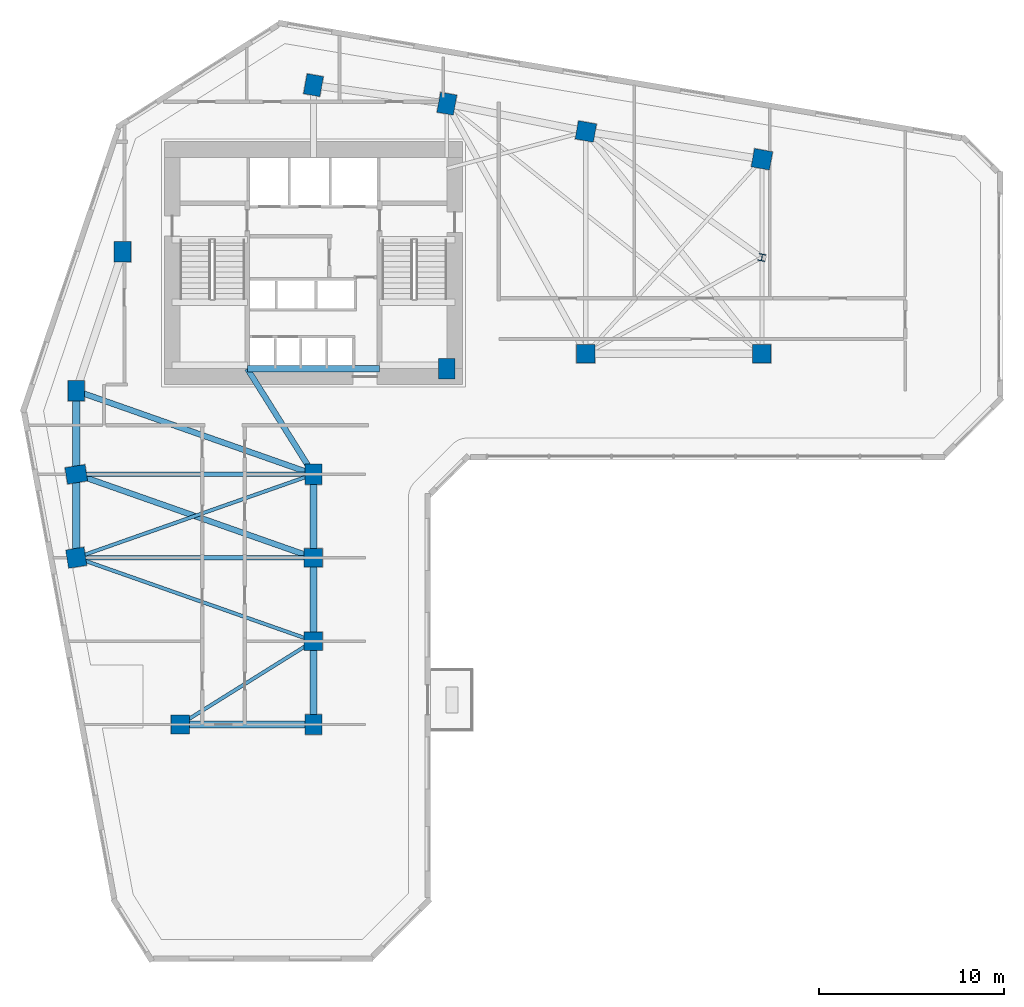
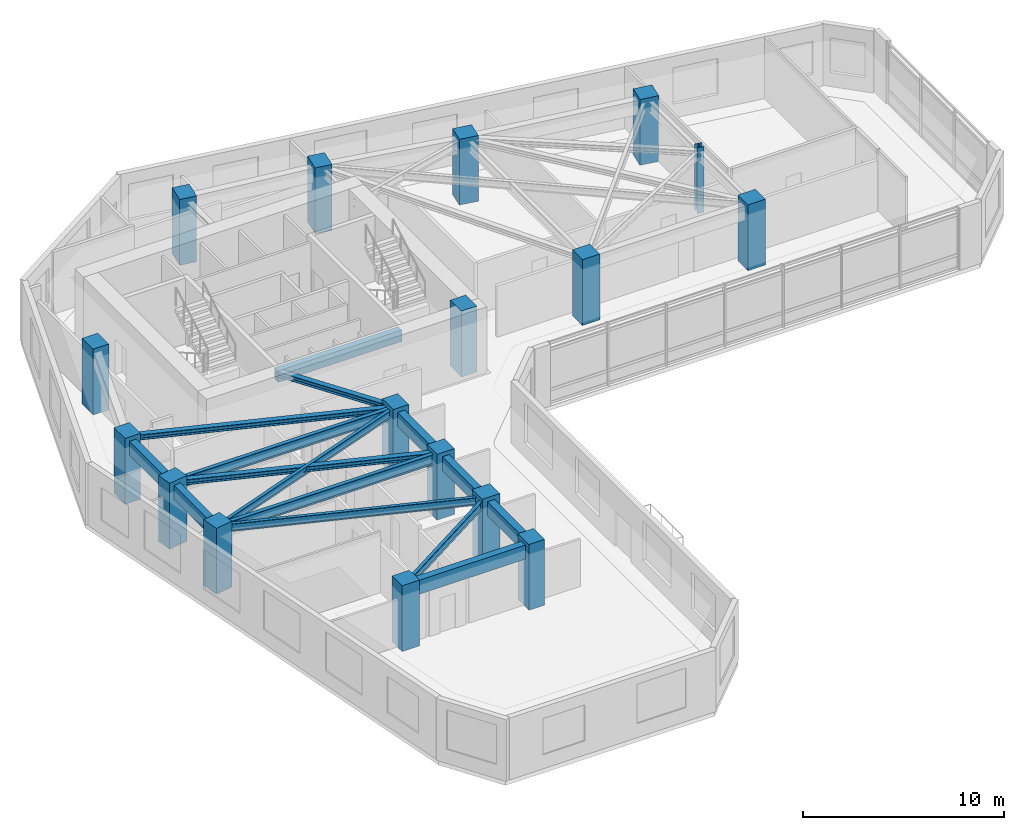
# One storey, part 1 of 11: 17 columns, 15 beams.
"""IFC4 building model written with IfcOpenShell, lengths in metres."""

import ifcopenshell
import ifcopenshell.guid

model = None  # the IFC model being written
_history = None  # IfcOwnerHistory: only IFC2X3 demands one
_inside = {}  # id of a spatial element -> (the spatial element, [elements in it])
_under = {}  # id of a project, library or spatial element -> (it, [spatial elements below it])
_declared = {}  # id of a project -> (the project, [libraries it declares])
_typed = {}  # id of a type object -> (the type object, [elements of that type])
_made_of = {}  # id of a material, layer set ... -> (it, [elements and type objects made of it])


def new_model(schema):
    """Start an empty IFC model of exactly this schema.

    Asked for "IFC4X3", IfcOpenShell would pick the latest addendum, in which some entities
    have other attributes; the version numbers below select the first issue.
    IFC2X3 requires an IfcOwnerHistory on every rooted entity: one is made here for all.
    """
    global model, _history
    if schema == "IFC4X3":
        model = ifcopenshell.file(schema_version=(4, 3, 0, 0))
    else:
        model = ifcopenshell.file(schema=schema)
    _inside.clear()
    _under.clear()
    _declared.clear()
    _typed.clear()
    _made_of.clear()
    _history = None
    if model.schema == "IFC2X3":
        org = make("IfcOrganization", Name="unknown")
        user = make(
            "IfcPersonAndOrganization",
            ThePerson=make("IfcPerson", FamilyName="unknown"),
            TheOrganization=org,
        )
        app = make(
            "IfcApplication",
            ApplicationDeveloper=org,
            Version="unknown",
            ApplicationFullName="unknown",
            ApplicationIdentifier="unknown",
        )
        _history = make(
            "IfcOwnerHistory",
            OwningUser=user,
            OwningApplication=app,
            ChangeAction="ADDED",
            CreationDate=0,
        )
    return model


def make(cls, **values):
    """One entity of the class cls with the attributes given. An attribute that is None is left unset."""
    return model.create_entity(
        cls, **{name: value for name, value in values.items() if value is not None}
    )


def rooted(cls, **values):
    """An entity with a GlobalId (a new one), such as an element, a storey or a relation."""
    return make(cls, GlobalId=ifcopenshell.guid.new(), OwnerHistory=_history, **values)


def si_unit(unit_type, name, prefix=None):
    """IfcSIUnit, for example si_unit("LENGTHUNIT", "METRE", prefix="MILLI")."""
    return make("IfcSIUnit", UnitType=unit_type, Prefix=prefix, Name=name)


def assignment(units):
    """IfcUnitAssignment: the units of a project."""
    return None if units is None else make("IfcUnitAssignment", Units=units)


def point(xyz):
    """IfcCartesianPoint."""
    return None if xyz is None else make("IfcCartesianPoint", Coordinates=xyz)


def direction(xyz):
    """IfcDirection."""
    return None if xyz is None else make("IfcDirection", DirectionRatios=xyz)


def frame(location, z_axis=None, x_axis=None):
    """IfcAxis2Placement3D, a coordinate frame: its origin and axes. An axis left out is left unset."""
    return make(
        "IfcAxis2Placement3D",
        Location=point(location),
        Axis=direction(z_axis),
        RefDirection=direction(x_axis),
    )


def frame_2d(location, x_axis=None):
    """IfcAxis2Placement2D, a coordinate frame in the plane: its origin and x axis."""
    return make(
        "IfcAxis2Placement2D", Location=point(location), RefDirection=direction(x_axis)
    )


def origin():
    """The frame at (0, 0, 0) with its axes left unset."""
    return frame((0.0, 0.0, 0.0))


def origin_2d():
    """The frame at (0, 0) in the plane with its x axis left unset."""
    return frame_2d((0.0, 0.0))


def place(relative_to, where):
    """IfcLocalPlacement: puts the frame where relative to a parent placement (None: the world)."""
    return make(
        "IfcLocalPlacement", PlacementRelTo=relative_to, RelativePlacement=where
    )


def context(
    kind, dimensions, precision=None, world=None, true_north=None, identifier=None
):
    """IfcGeometricRepresentationContext, for example the 3D "Model" context."""
    return make(
        "IfcGeometricRepresentationContext",
        ContextIdentifier=identifier,
        ContextType=kind,
        CoordinateSpaceDimension=dimensions,
        Precision=precision,
        WorldCoordinateSystem=world,
        TrueNorth=true_north,
    )


def subcontext(parent, identifier, kind, view, scale=None):
    """IfcGeometricRepresentationSubContext, for example "Body" below "Model"."""
    return make(
        "IfcGeometricRepresentationSubContext",
        ContextIdentifier=identifier,
        ContextType=kind,
        ParentContext=parent,
        TargetScale=scale,
        TargetView=view,
    )


def project(units=None, contexts=None):
    """IfcProject with its units and contexts."""
    return rooted(
        "IfcProject",
        Name="project",
        RepresentationContexts=contexts,
        UnitsInContext=assignment(units),
    )


def spatial(cls, under=None, at=None, **own):
    """A site, building, storey or space (cls), placed at a placement, below another one or the project."""
    s = rooted(cls, ObjectPlacement=at, **own)
    if under is not None:
        _under.setdefault(under.id(), (under, []))[1].append(s)
    return s


def profile(cls, at=None, kind="AREA", **sizes):
    """A parametric profile (cls). Its sizes go by their IFC names, for example OverallWidth=200.0."""
    return make(cls, ProfileType=kind, Position=at, **sizes)


def rectangle(**sizes):
    """IfcRectangleProfileDef."""
    return profile("IfcRectangleProfileDef", **sizes)


def i_section(**sizes):
    """IfcIShapeProfileDef."""
    return profile("IfcIShapeProfileDef", **sizes)


def extrude(swept, where, along, depth):
    """IfcExtrudedAreaSolid: the profile swept, set in the frame where, extruded along a direction by depth."""
    return make(
        "IfcExtrudedAreaSolid",
        SweptArea=swept,
        Position=where,
        ExtrudedDirection=direction(along),
        Depth=depth,
    )


def shape(context_of_items, identifier, shape_type, items):
    """IfcShapeRepresentation: the items that make up one representation, for example the "Body"."""
    return make(
        "IfcShapeRepresentation",
        ContextOfItems=context_of_items,
        RepresentationIdentifier=identifier,
        RepresentationType=shape_type,
        Items=items,
    )


def source(mapping_origin, context_of_items, identifier, shape_type, items):
    """IfcRepresentationMap: a shape defined once, which mapped items show again and again."""
    return make(
        "IfcRepresentationMap",
        MappingOrigin=mapping_origin,
        MappedRepresentation=shape(context_of_items, identifier, shape_type, items),
    )


def transform(
    local_origin,
    x_axis=None,
    y_axis=None,
    z_axis=None,
    scale=None,
    scale2=None,
    scale3=None,
    uniform=True,
):
    """IfcCartesianTransformationOperator3D, or its non-uniform kind. x_axis, y_axis, z_axis: its Axis1, 2, 3."""
    if uniform:
        return make(
            "IfcCartesianTransformationOperator3D",
            Axis1=direction(x_axis),
            Axis2=direction(y_axis),
            LocalOrigin=point(local_origin),
            Scale=scale,
            Axis3=direction(z_axis),
        )
    return make(
        "IfcCartesianTransformationOperator3DnonUniform",
        Axis1=direction(x_axis),
        Axis2=direction(y_axis),
        LocalOrigin=point(local_origin),
        Scale=scale,
        Axis3=direction(z_axis),
        Scale2=scale2,
        Scale3=scale3,
    )


def mapped(mapping_source, mapping_target):
    """IfcMappedItem: shows the shape of a source again, moved by a transform."""
    return make(
        "IfcMappedItem", MappingSource=mapping_source, MappingTarget=mapping_target
    )


def material(Name=None, Category=None):
    """IfcMaterial."""
    return make("IfcMaterial", Name=Name, Category=Category)


def material_profile(
    of_material, cross_section, Name=None, Category=None, Priority=None
):
    """IfcMaterialProfile: a cross section and its material."""
    return make(
        "IfcMaterialProfile",
        Name=Name,
        Material=of_material,
        Profile=cross_section,
        Priority=Priority,
        Category=Category,
    )


def profile_set(profiles, Name=None, composite=None):
    """IfcMaterialProfileSet."""
    return make(
        "IfcMaterialProfileSet",
        Name=Name,
        MaterialProfiles=profiles,
        CompositeProfile=composite,
    )


def made_of(thing, what):
    """Note that an element or type object is made of a material, layer set ...; save() writes the relation."""
    if what is not None:
        _made_of.setdefault(what.id(), (what, []))[1].append(thing)
    return thing


def type_object(cls, material=None, **own):
    """A type object (cls), such as IfcWallType, which elements share."""
    return made_of(rooted(cls, **own), material)


def element(
    cls,
    number,
    at=None,
    inside=None,
    cuts=None,
    type_object=None,
    material=None,
    context=None,
    identifier="Body",
    shape_type=None,
    held_by="IfcProductDefinitionShape",
    body=None,
    shapes=None,
    **own,
):
    """One element of the class cls, such as IfcWall. Its Tag is "e" and its number.

    at: its placement. inside: the storey or other place that contains it. cuts: it is an
    opening in that element (IfcRelVoidsElement). A single representation is given by context,
    identifier, shape_type and body (its items); several are given by shapes. held_by: the class
    of the entity that holds the representations. save() writes the other relations.
    """
    e = rooted(cls, Tag="e%d" % number, ObjectPlacement=at, **own)
    if body is not None:
        shapes = [shape(context, identifier, shape_type, body)]
    if shapes is not None:
        e.Representation = make(held_by, Representations=shapes)
    if inside is not None:
        _inside.setdefault(inside.id(), (inside, []))[1].append(e)
    if cuts is not None:
        rooted(
            "IfcRelVoidsElement", RelatingBuildingElement=cuts, RelatedOpeningElement=e
        )
    if type_object is not None:
        _typed.setdefault(type_object.id(), (type_object, []))[1].append(e)
    return made_of(e, material)


def aggregate(whole, parts):
    """IfcRelAggregates: a whole, such as a stair, and the parts it consists of."""
    return rooted("IfcRelAggregates", RelatingObject=whole, RelatedObjects=parts)


def save(model, path):
    """Write the relations noted so far, then the file.

    IfcRelAggregates (storeys below a building ...), IfcRelContainedInSpatialStructure (elements
    in a storey), IfcRelDefinesByType, IfcRelAssociatesMaterial and IfcRelDeclares: one each for
    every whole, place, type object, material and project.
    """
    for whole, parts in _under.values():
        aggregate(whole, parts)
    for where, things in _inside.values():
        rooted(
            "IfcRelContainedInSpatialStructure",
            RelatedElements=things,
            RelatingStructure=where,
        )
    for kind, things in _typed.values():
        rooted("IfcRelDefinesByType", RelatedObjects=things, RelatingType=kind)
    for what, things in _made_of.values():
        rooted("IfcRelAssociatesMaterial", RelatedObjects=things, RelatingMaterial=what)
    for by, libraries in _declared.values():
        rooted("IfcRelDeclares", RelatingContext=by, RelatedDefinitions=libraries)
    model.write(path)


model = new_model("IFC4")

# Units and contexts
model_context = context("Model", 3, precision=1e-05, world=origin(), true_north=direction((0.0, 1.0)))
body_context = subcontext(model_context, "Body", "Model", "MODEL_VIEW")
ifc_project = project(units=[si_unit("LENGTHUNIT", "METRE"), si_unit("AREAUNIT", "SQUARE_METRE"), si_unit("VOLUMEUNIT", "CUBIC_METRE"), si_unit("PLANEANGLEUNIT", "RADIAN"), si_unit("MASSUNIT", "GRAM", prefix="KILO")], contexts=[model_context])

# Site, building, storey
site_placement = place(None, origin())
site = spatial("IfcSite", under=ifc_project, at=site_placement, CompositionType="ELEMENT")
building_placement = place(site_placement, origin())
building = spatial("IfcBuilding", under=site, at=building_placement, Name="Calvemar Wedge Station Tower", CompositionType="ELEMENT")
storey_placement = place(building_placement, frame((0.0, 0.0, 55.0)))
storey = spatial("IfcBuildingStorey", under=building, at=storey_placement, Name="L13", CompositionType="ELEMENT", Elevation=55.0)

# Columns
ifc_material_1 = material(Name="Concrete C70", Category="concrete")
ifc_material_profile_1 = material_profile(ifc_material_1, rectangle(XDim=0.89990234375, YDim=1.10009765625, at=origin_2d()), Name="RC1100x900")
ifc_profile_set_1 = profile_set([ifc_material_profile_1], Name="Concrete C70")
column_type_1 = type_object("IfcColumnType", Name="COL-C3-1100x900", PredefinedType="COLUMN", material=ifc_profile_set_1)
shared_shape_1 = source(origin(), body_context, "Body", "SweptSolid", [
    extrude(rectangle(XDim=0.89990234375, YDim=1.10009765625, at=origin_2d()), origin(), (0.0, 0.0, 1.0), 4.0),
])
for number, where, z_axis, x_axis, name in (
    (1, (11.0, 33.0, 0.0), (0.0, 0.0, 1.0), (1.0, 0.0, 0.0), "Storey L13 Column T-NW1"),
    (2, (13.5, 40.5, 0.0), (0.0, 0.0, 1.0), (1.0, 0.0, 0.0), "Storey L13 Column T-NW2"),
    (3, (23.800048828125, 49.5, 0.0), (0.0, 0.0, 1.0), (0.984195607969, -0.17708474032, 0.0), "Storey L13 Column T-N1"),
    (4, (31.0, 48.5, 0.0), (0.0, 0.0, 1.0), (0.984195607969, -0.17708474032, 0.0), "Storey L13 Column T-N2"),
    (5, (31.0, 34.199951171875, 0.0), (0.0, 0.0, 1.0), (1.0, 0.0, 0.0), "Storey L13 Column T-NL1"),
    (6, (11.0, 28.5, 0.0), (0.0, 0.0, 1.0), (0.158158067254, -0.987413806751, 0.0), "Storey L13 Column T-SW1"),
    (7, (23.800048828125, 28.5, 0.0), (0.0, 0.0, 1.0), (1.0, 0.0, 0.0), "Storey L13 Column T-SE1"),
    (8, (23.800048828125, 15.0, 0.0), (0.0, 0.0, 1.0), (1.0, 0.0, 0.0), "Storey L13 Column T-SE4"),
):
    element("IfcColumn", number, at=place(storey_placement, frame(where, z_axis=z_axis, x_axis=x_axis)), inside=storey, type_object=column_type_1, Name=name, PredefinedType="COLUMN", context=body_context, shape_type="MappedRepresentation", body=[
        mapped(shared_shape_1, transform((0.0, 0.0, 0.0), scale=1.0)),
    ])
ifc_material_2 = material(Name="Concrete C60", Category="concrete")
ifc_material_profile_2 = material_profile(ifc_material_2, rectangle(XDim=1.0, YDim=1.0, at=origin_2d()), Name="RC1000x1000")
ifc_profile_set_2 = profile_set([ifc_material_profile_2], Name="Concrete C60")
column_type_2 = type_object("IfcColumnType", Name="COL-C4-1000", PredefinedType="COLUMN", material=ifc_profile_set_2)
shared_shape_2 = source(origin(), body_context, "Body", "SweptSolid", [
    extrude(rectangle(XDim=1.0, YDim=1.0, at=origin_2d()), origin(), (0.0, 0.0, 1.0), 4.0),
])
for number, where, z_axis, x_axis, name in (
    (9, (38.5, 47.0, 0.0), (0.0, 0.0, 1.0), (0.984195607969, -0.17708474032, 0.0), "Storey L13 Column T-NU3"),
    (10, (48.0, 45.5, 0.0), (0.0, 0.0, 1.0), (0.984195607969, -0.17708474032, 0.0), "Storey L13 Column T-NU4"),
    (11, (38.5, 35.0, 0.0), (0.0, 0.0, 1.0), (1.0, 0.0, 0.0), "Storey L13 Column T-NL2"),
    (12, (48.0, 35.0, 0.0), (0.0, 0.0, 1.0), (1.0, 0.0, 0.0), "Storey L13 Column T-NL3"),
    (13, (11.0, 24.0, 0.0), (0.0, 0.0, 1.0), (0.158158067254, -0.987413806751, 0.0), "Storey L13 Column T-SW2"),
    (14, (23.800048828125, 24.0, 0.0), (0.0, 0.0, 1.0), (1.0, 0.0, 0.0), "Storey L13 Column T-SE2"),
    (15, (23.800048828125, 19.5, 0.0), (0.0, 0.0, 1.0), (1.0, 0.0, 0.0), "Storey L13 Column T-SE3"),
    (16, (16.60009765625, 15.0, 0.0), (0.0, 0.0, 1.0), (1.0, 0.0, 0.0), "Storey L13 Column T-SM1"),
):
    element("IfcColumn", number, at=place(storey_placement, frame(where, z_axis=z_axis, x_axis=x_axis)), inside=storey, type_object=column_type_2, Name=name, PredefinedType="COLUMN", context=body_context, shape_type="MappedRepresentation", body=[
        mapped(shared_shape_2, transform((0.0, 0.0, 0.0), scale=1.0)),
    ])
ifc_material_3 = material(Name="Structural steel ASTM A572 Grade 50", Category="steel")
ifc_material_profile_3 = material_profile(ifc_material_3, i_section(OverallWidth=0.3740234375, OverallDepth=0.3720703125, WebThickness=0.016357421875, FlangeThickness=0.026123046875, FilletRadius=0.014892578125, at=origin_2d()), Name="W360x196")
ifc_profile_set_3 = profile_set([ifc_material_profile_3], Name="Structural steel ASTM A572 Grade 50")
column_type_3 = type_object("IfcColumnType", Name="COL-STL-W360", PredefinedType="COLUMN", material=ifc_profile_set_3)
shared_shape_3 = source(origin(), body_context, "Body", "SweptSolid", [
    extrude(i_section(OverallWidth=0.3740234375, OverallDepth=0.3720703125, WebThickness=0.016357421875, FlangeThickness=0.026123046875, FilletRadius=0.014892578125, at=origin_2d()), origin(), (0.0, 0.0, 1.0), 4.0),
])
column_placement = place(storey_placement, frame((48.0, 40.199951171875, 0.0), z_axis=(0.0, 0.0, 1.0), x_axis=(0.984195607969, -0.17708474032, 0.0)))
element("IfcColumn", 17, at=column_placement, inside=storey, type_object=column_type_3, Name="Storey L13 Column T-NTIP-A", PredefinedType="COLUMN", context=body_context, shape_type="MappedRepresentation", body=[
    mapped(shared_shape_3, transform((0.0, 0.0, 0.0), scale=1.0)),
])

# Beams
ifc_material_profile_4 = material_profile(ifc_material_2, rectangle(XDim=0.39990234375, YDim=0.85009765625, at=origin_2d()), Name="RC400x850")
ifc_profile_set_4 = profile_set([ifc_material_profile_4], Name="Concrete C60")
beam_type_1 = type_object("IfcBeamType", Name="BM-SP1-850", PredefinedType="SPANDREL", material=ifc_profile_set_4)
shared_shape_4 = source(origin(), body_context, "Body", "SweptSolid", [
    extrude(rectangle(XDim=0.39990234375, YDim=0.85009765625, at=origin_2d()), origin(), (0.0, 0.0, 1.0), 4.5),
])
for number, where, z_axis, x_axis, name in (
    (18, (11.0, 33.0, 3.324951171875), (0.0, -1.0, 0.0), (1.0, 0.0, 0.0), "Storey L13 Spandrel T-NW1-T-SW1"),
    (19, (11.0, 28.5, 3.324951171875), (0.0, -1.0, 0.0), (1.0, 0.0, 0.0), "Storey L13 Spandrel T-SW1-T-SW2"),
    (20, (23.800048828125, 28.5, 3.324951171875), (0.0, -1.0, 0.0), (1.0, 0.0, 0.0), "Storey L13 Spandrel T-SE1-T-SE2"),
    (21, (23.800048828125, 24.0, 3.324951171875), (0.0, -1.0, 0.0), (1.0, 0.0, 0.0), "Storey L13 Spandrel T-SE2-T-SE3"),
    (22, (23.800048828125, 19.5, 3.324951171875), (0.0, -1.0, 0.0), (1.0, 0.0, 0.0), "Storey L13 Spandrel T-SE3-T-SE4"),
):
    element("IfcBeam", number, at=place(storey_placement, frame(where, z_axis=z_axis, x_axis=x_axis)), inside=storey, type_object=beam_type_1, Name=name, PredefinedType="SPANDREL", context=body_context, shape_type="MappedRepresentation", body=[
        mapped(shared_shape_4, transform((0.0, 0.0, 0.0), scale=1.0)),
    ])
shared_shape_5 = source(origin(), body_context, "Body", "SweptSolid", [
    extrude(rectangle(XDim=0.39990234375, YDim=0.85009765625, at=origin_2d()), origin(), (0.0, 0.0, 1.0), 7.199951171875),
])
beam_1_placement = place(storey_placement, frame((16.60009765625, 15.0, 3.324951171875), z_axis=(1.0, 0.0, 0.0), x_axis=(0.0, 1.0, 0.0)))
element("IfcBeam", 23, at=beam_1_placement, inside=storey, type_object=beam_type_1, Name="Storey L13 Spandrel T-SM1-T-SE4", PredefinedType="SPANDREL", context=body_context, shape_type="MappedRepresentation", body=[
    mapped(shared_shape_5, transform((0.0, 0.0, 0.0), scale=1.0)),
])
ifc_material_profile_5 = material_profile(ifc_material_3, i_section(OverallWidth=0.22998046875, OverallDepth=0.616943359375, WebThickness=0.01318359375, FlangeThickness=0.022216796875, FilletRadius=0.012939453125, at=origin_2d()), Name="W610x140")
ifc_profile_set_5 = profile_set([ifc_material_profile_5], Name="Structural steel ASTM A572 Grade 50")
beam_type_2 = type_object("IfcBeamType", Name="BM-SB2-W610", PredefinedType="BEAM", material=ifc_profile_set_5)
shared_shape_6 = source(origin(), body_context, "Body", "SweptSolid", [
    extrude(i_section(OverallWidth=0.22998046875, OverallDepth=0.616943359375, WebThickness=0.01318359375, FlangeThickness=0.022216796875, FilletRadius=0.012939453125, at=origin_2d()), origin(), (0.0, 0.0, 1.0), 12.800048828125),
])
for number, where, z_axis, x_axis, name in (
    (24, (11.0, 28.5, 3.44140625), (1.0, 0.0, 0.0), (0.0, 1.0, 0.0), "Storey L13 Floor Beam T-SW1-T-SE1"),
    (25, (11.0, 24.0, 3.44140625), (1.0, 0.0, 0.0), (0.0, 1.0, 0.0), "Storey L13 Floor Beam T-SW2-T-SE2"),
):
    element("IfcBeam", number, at=place(storey_placement, frame(where, z_axis=z_axis, x_axis=x_axis)), inside=storey, type_object=beam_type_2, Name=name, PredefinedType="BEAM", context=body_context, shape_type="MappedRepresentation", body=[
        mapped(shared_shape_6, transform((0.0, 0.0, 0.0), scale=1.0)),
    ])
ifc_material_profile_6 = material_profile(ifc_material_1, rectangle(XDim=0.35009765625, YDim=0.699951171875, at=origin_2d()), Name="RC350x700")
ifc_profile_set_6 = profile_set([ifc_material_profile_6], Name="Concrete C70")
beam_type_3 = type_object("IfcBeamType", Name="BM-LN1-700", PredefinedType="LINTEL", material=ifc_profile_set_6)
shared_shape_7 = source(origin(), body_context, "Body", "SweptSolid", [
    extrude(rectangle(XDim=0.35009765625, YDim=0.699951171875, at=origin_2d()), origin(), (0.0, 0.0, 1.0), 7.10009765625),
])
beam_2_placement = place(storey_placement, frame((20.25, 34.199951171875, 3.39990234375), z_axis=(1.0, 0.0, 0.0), x_axis=(0.0, 1.0, 0.0)))
element("IfcBeam", 26, at=beam_2_placement, inside=storey, type_object=beam_type_3, Name="Storey L13 Core Coupling Lintel South", PredefinedType="LINTEL", context=body_context, shape_type="MappedRepresentation", body=[
    mapped(shared_shape_7, transform((0.0, 0.0, 0.0), scale=1.0)),
])
ifc_material_profile_7 = material_profile(ifc_material_3, i_section(OverallWidth=0.30908203125, OverallDepth=0.322998046875, WebThickness=0.013916015625, FlangeThickness=0.02294921875, FilletRadius=0.014892578125, at=origin_2d()), Name="W310x143")
ifc_profile_set_7 = profile_set([ifc_material_profile_7], Name="Structural steel ASTM A572 Grade 50")
beam_type_4 = type_object("IfcBeamType", Name="BM-J5-W310H", PredefinedType="JOIST", material=ifc_profile_set_7)
shared_shape_8 = source(origin(), body_context, "Body", "SweptSolid", [
    extrude(i_section(OverallWidth=0.30908203125, OverallDepth=0.322998046875, WebThickness=0.013916015625, FlangeThickness=0.02294921875, FilletRadius=0.014892578125, at=origin_2d()), origin(), (0.0, 0.0, 1.0), 13.568115234375),
])
for number, where, z_axis, x_axis, name in (
    (27, (11.0, 33.0, 3.58837890625), (0.943398221169, -0.331662171939, 0.0), (0.331662171939, 0.943398221169, 0.0), "Storey L13 Floor Beam T-NW1-T-SE1"),
    (28, (11.0, 28.5, 3.58837890625), (0.943398221169, -0.331662171939, 0.0), (0.331662171939, 0.943398221169, 0.0), "Storey L13 Floor Beam T-SW1-T-SE2"),
):
    element("IfcBeam", number, at=place(storey_placement, frame(where, z_axis=z_axis, x_axis=x_axis)), inside=storey, type_object=beam_type_4, Name=name, PredefinedType="JOIST", context=body_context, shape_type="MappedRepresentation", body=[
        mapped(shared_shape_8, transform((0.0, 0.0, 0.0), scale=1.0)),
    ])
ifc_material_profile_8 = material_profile(ifc_material_3, i_section(OverallWidth=0.19189453125, OverallDepth=0.462890625, WebThickness=0.010498046875, FlangeThickness=0.017578125, FilletRadius=0.012939453125, at=origin_2d()), Name="W460x89")
ifc_profile_set_8 = profile_set([ifc_material_profile_8], Name="Structural steel ASTM A572 Grade 50")
beam_type_5 = type_object("IfcBeamType", Name="BM-J1-W460", PredefinedType="JOIST", material=ifc_profile_set_8)
shared_shape_9 = source(origin(), body_context, "Body", "SweptSolid", [
    extrude(i_section(OverallWidth=0.19189453125, OverallDepth=0.462890625, WebThickness=0.010498046875, FlangeThickness=0.017578125, FilletRadius=0.012939453125, at=origin_2d()), origin(), (0.0, 0.0, 1.0), 13.568115234375),
])
for number, where, z_axis, x_axis, name in (
    (29, (23.800048828125, 28.5, 3.5185546875), (-0.943398221169, -0.331662171939, 0.0), (0.331662171939, -0.943398221169, 0.0), "Storey L13 Floor Beam T-SE1-T-SW2"),
    (30, (11.0, 24.0, 3.5185546875), (0.943398221169, -0.331662171939, 0.0), (0.331662171939, 0.943398221169, 0.0), "Storey L13 Floor Beam T-SW2-T-SE3"),
):
    element("IfcBeam", number, at=place(storey_placement, frame(where, z_axis=z_axis, x_axis=x_axis)), inside=storey, type_object=beam_type_5, Name=name, PredefinedType="JOIST", context=body_context, shape_type="MappedRepresentation", body=[
        mapped(shared_shape_9, transform((0.0, 0.0, 0.0), scale=1.0)),
    ])
shared_shape_10 = source(origin(), body_context, "Body", "SweptSolid", [
    extrude(i_section(OverallWidth=0.19189453125, OverallDepth=0.462890625, WebThickness=0.010498046875, FlangeThickness=0.017578125, FilletRadius=0.012939453125, at=origin_2d()), origin(), (0.0, 0.0, 1.0), 8.490478515625),
])
beam_3_placement = place(storey_placement, frame((23.800048828125, 19.5, 3.5185546875), z_axis=(-0.847996688584, -0.530001524668, 0.0), x_axis=(0.530001524668, -0.847996688584, 0.0)))
element("IfcBeam", 31, at=beam_3_placement, inside=storey, type_object=beam_type_5, Name="Storey L13 Floor Beam T-SE3-T-SM1", PredefinedType="JOIST", context=body_context, shape_type="MappedRepresentation", body=[
    mapped(shared_shape_10, transform((0.0, 0.0, 0.0), scale=1.0)),
])
shared_shape_11 = source(origin(), body_context, "Body", "SweptSolid", [
    extrude(i_section(OverallWidth=0.30908203125, OverallDepth=0.322998046875, WebThickness=0.013916015625, FlangeThickness=0.02294921875, FilletRadius=0.014892578125, at=origin_2d()), origin(), (0.0, 0.0, 1.0), 6.7255859375),
])
beam_4_placement = place(storey_placement, frame((20.22998046875, 34.199951171875, 3.58837890625), z_axis=(0.530811158438, -0.847490126242, 0.0), x_axis=(0.847490126242, 0.530811158438, 0.0)))
element("IfcBeam", 32, at=beam_4_placement, inside=storey, type_object=beam_type_4, Name="Storey L13 Core-to-Column Joist CJ-S2", PredefinedType="JOIST", context=body_context, shape_type="MappedRepresentation", body=[
    mapped(shared_shape_11, transform((0.0, 0.0, 0.0), scale=1.0)),
])

save(model, "model.ifc")
